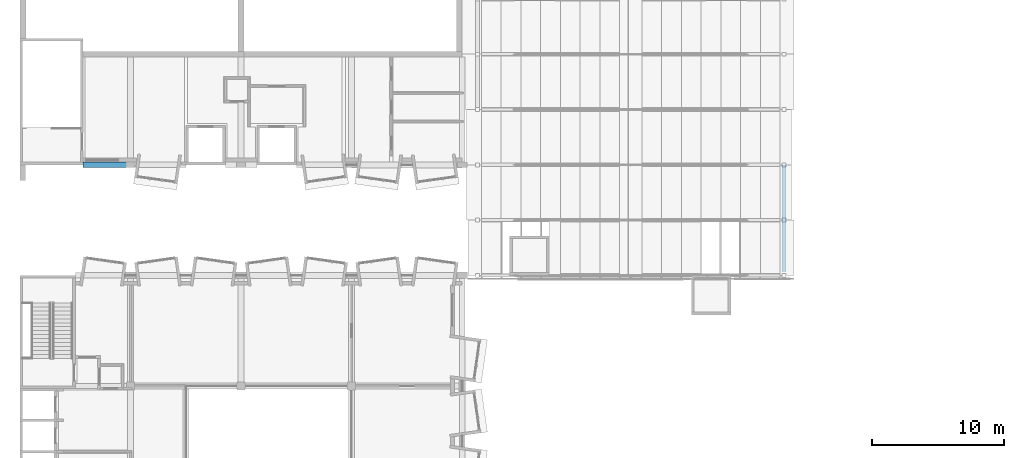
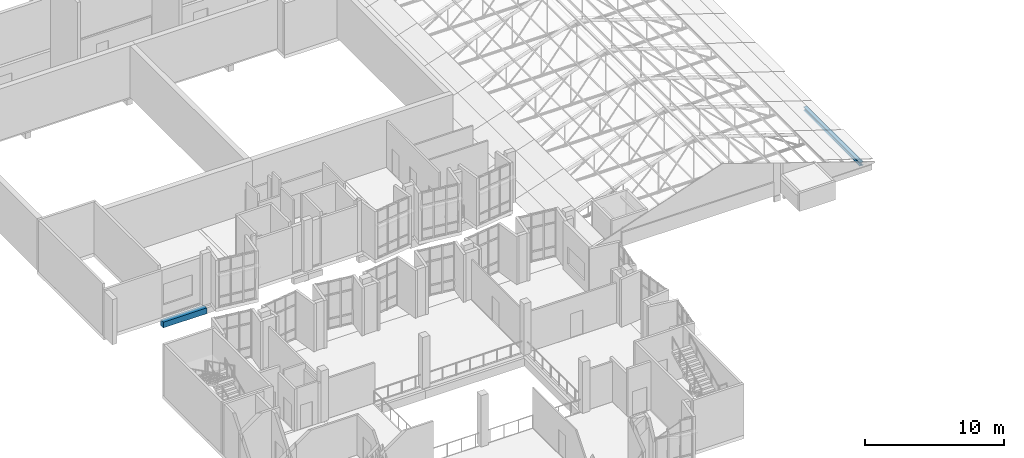
# One storey, part 11 of 95: 2 beams.
"""IFC4 building model written with IfcOpenShell, lengths in metres."""

from ifc_helpers import new_model, si_unit, direction, frame, origin, origin_2d, place, context, subcontext, project, spatial, rectangle, i_section, extrude, material, material_profile, profile_set, type_object, element, save


model = new_model("IFC4")

# Units and contexts
model_context = context("Model", 3, precision=1e-05, world=origin(), true_north=direction((0.0, 1.0)))
body_context = subcontext(model_context, "Body", "Model", "MODEL_VIEW")
ifc_project = project(units=[si_unit("LENGTHUNIT", "METRE"), si_unit("AREAUNIT", "SQUARE_METRE"), si_unit("VOLUMEUNIT", "CUBIC_METRE"), si_unit("PLANEANGLEUNIT", "RADIAN"), si_unit("MASSUNIT", "GRAM", prefix="KILO")], contexts=[model_context])

# Site, building, storey
site_placement = place(None, origin())
site = spatial("IfcSite", under=ifc_project, at=site_placement, CompositionType="ELEMENT")
building_placement = place(site_placement, origin())
building = spatial("IfcBuilding", under=site, at=building_placement, Name="Kiln Court Media Centre", CompositionType="ELEMENT")
storey_placement = place(building_placement, frame((0.0, 0.0, 24.60009765625)))
storey = spatial("IfcBuildingStorey", under=building, at=storey_placement, Name="L05", CompositionType="ELEMENT", Elevation=24.60009765625)

# Beams
ifc_material_1 = material(Name="Concrete C30/37", Category="concrete")
ifc_material_profile_1 = material_profile(ifc_material_1, rectangle(XDim=0.39990234375, YDim=0.5, at=origin_2d()), Name="RC 400x500")
ifc_profile_set_1 = profile_set([ifc_material_profile_1], Name="Concrete C30/37")
beam_type_1 = type_object("IfcBeamType", Name="Concrete C30/37 beam 400x500", PredefinedType="BEAM", material=ifc_profile_set_1)
beam_1_placement = place(storey_placement, frame((4.800048828125, 33.60009765625, -0.550048828125), z_axis=(1.0, 0.0, 0.0), x_axis=(0.0, 1.0, 0.0)))
element("IfcBeam", 1, at=beam_1_placement, inside=storey, type_object=beam_type_1, Name="L05-B-1036", PredefinedType="BEAM", context=body_context, shape_type="SweptSolid", body=[
    extrude(rectangle(XDim=0.39990234375, YDim=0.5, at=origin_2d()), origin(), (0.0, 0.0, 1.0), 3.599853515625),
])
ifc_material_2 = material(Name="Steel ASTM A572 Gr 50", Category="steel")
ifc_material_profile_2 = material_profile(ifc_material_2, i_section(OverallWidth=0.300048828125, OverallDepth=0.300048828125, WebThickness=0.010986328125, FlangeThickness=0.01904296875, FilletRadius=0.027099609375, at=origin_2d()), Name="HE 300 B")
ifc_profile_set_2 = profile_set([ifc_material_profile_2], Name="Steel ASTM A572 Gr 50")
beam_type_2 = type_object("IfcBeamType", Name="Steel ASTM A572 Gr 50 HE 300 B foyer eaves girder", PredefinedType="BEAM", material=ifc_profile_set_2)
beam_2_placement = place(storey_placement, frame((58.050048828125, 25.5, -0.300048828125), z_axis=(0.0, 1.0, 0.0), x_axis=(-1.0, 0.0, 0.0)))
element("IfcBeam", 2, at=beam_2_placement, inside=storey, type_object=beam_type_2, Name="foyer eaves girder at x 58.05 foyer eaves girder", PredefinedType="BEAM", context=body_context, shape_type="SweptSolid", body=[
    extrude(i_section(OverallWidth=0.300048828125, OverallDepth=0.300048828125, WebThickness=0.010986328125, FlangeThickness=0.01904296875, FilletRadius=0.027099609375, at=origin_2d()), origin(), (0.0, 0.0, 1.0), 8.10009765625),
])

save(model, "model.ifc")
